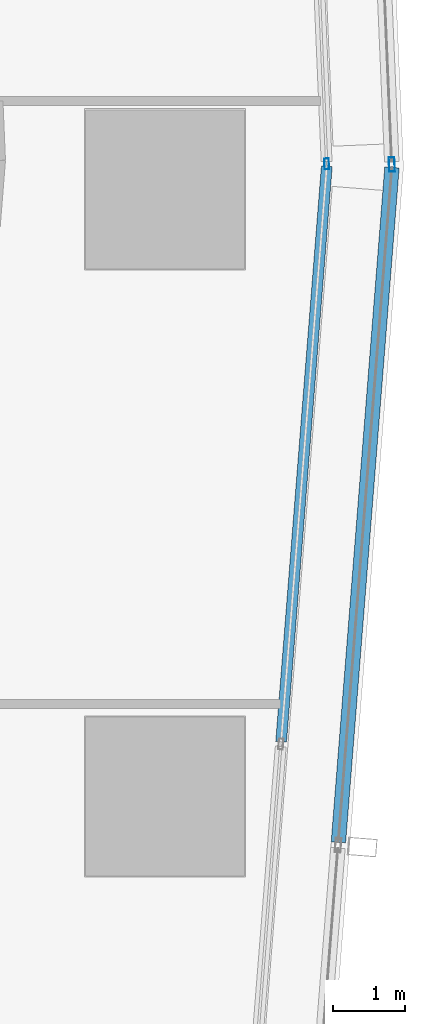
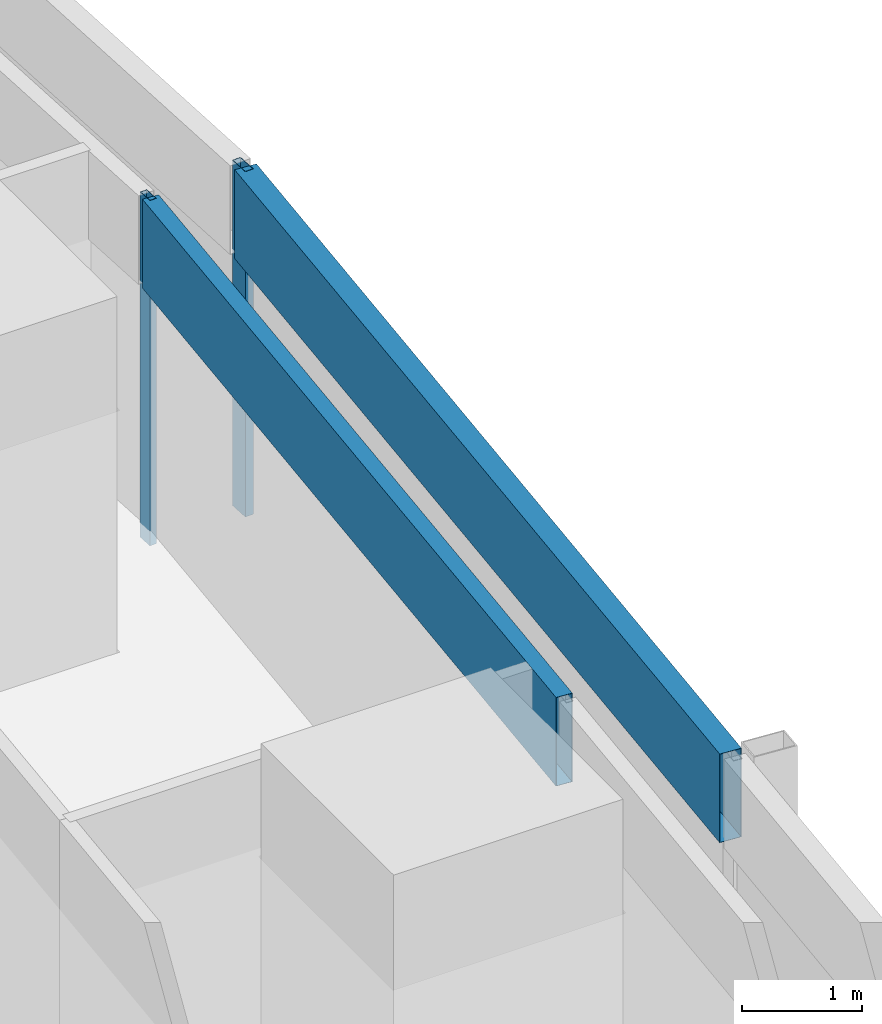
# One storey, part 26 of 45: 4 members, 4 elements without a shape of their own.
"""IFC4 building model written with IfcOpenShell, lengths in metres."""

from ifc_helpers import new_model, si_unit, direction, frame, origin, origin_2d, place, context, subcontext, project, spatial, hollow_rectangle, extrude, material, material_profile, profile_set, type_object, element, aggregate, save


model = new_model("IFC4")

# Units and contexts
model_context = context("Model", 3, precision=1e-05, world=origin(), true_north=direction((0.0, 1.0)))
body_context = subcontext(model_context, "Body", "Model", "MODEL_VIEW")
ifc_project = project(units=[si_unit("LENGTHUNIT", "METRE"), si_unit("AREAUNIT", "SQUARE_METRE"), si_unit("VOLUMEUNIT", "CUBIC_METRE"), si_unit("PLANEANGLEUNIT", "RADIAN"), si_unit("MASSUNIT", "GRAM", prefix="KILO")], contexts=[model_context])

# Site, building, storey
site_placement = place(None, origin())
site = spatial("IfcSite", under=ifc_project, at=site_placement, CompositionType="ELEMENT")
building_placement = place(site_placement, origin())
building = spatial("IfcBuilding", under=site, at=building_placement, Name="Rekha Terrace Tower", CompositionType="ELEMENT")
storey_placement = place(building_placement, frame((0.0, 0.0, 32.89990234375)))
storey = spatial("IfcBuildingStorey", under=building, at=storey_placement, Name="L07", CompositionType="ELEMENT", Elevation=32.89990234375)

# Curtain wall, member
ifc_material_1 = material(Name="Aluminium framing", Category="aluminium")
curtain_wall_type_1 = type_object("IfcCurtainWallType", Name="CW1 double skin inner glazing", PredefinedType="USERDEFINED", material=ifc_material_1)
curtain_wall_1_placement = place(storey_placement, origin())
curtain_wall_1 = element("IfcCurtainWall", 1, at=curtain_wall_1_placement, inside=storey, type_object=curtain_wall_type_1, Name="CW1 double skin inner glazing", ObjectType="DOUBLE SKIN INNER GLAZING", PredefinedType="USERDEFINED")
ifc_material_2 = material(Name="Aluminium mullion section", Category="aluminium")
ifc_material_profile_1 = material_profile(ifc_material_2, hollow_rectangle(XDim=0.06494140625, YDim=0.14990234375, WallThickness=0.00390625, at=origin_2d()), Name="AL RHS 65x150")
ifc_profile_set_1 = profile_set([ifc_material_profile_1], Name="Aluminium mullion section")
member_type_1 = type_object("IfcMemberType", Name="CW1 mullion RHS 65 x 150", PredefinedType="MULLION", material=ifc_profile_set_1)
member_1_placement = place(storey_placement, frame((69.436767578125, 25.5517578125, 0.0), z_axis=(0.0, 0.0, 1.0), x_axis=(-0.999088106904, -0.042696072921, 0.0)))
member_1 = element("IfcMember", 2, at=member_1_placement, type_object=member_type_1, Name="CW1 mullion 1", PredefinedType="MULLION", context=body_context, shape_type="SweptSolid", body=[
    extrude(hollow_rectangle(XDim=0.06494140625, YDim=0.14990234375, WallThickness=0.00390625, at=origin_2d()), origin(), (0.0, 0.0, 1.0), 3.5),
])
aggregate(curtain_wall_1, [member_1])

curtain_wall_2_placement = place(storey_placement, origin())
curtain_wall_2 = element("IfcCurtainWall", 3, at=curtain_wall_2_placement, inside=storey, type_object=curtain_wall_type_1, Name="CW1 double skin inner glazing", ObjectType="DOUBLE SKIN INNER GLAZING", PredefinedType="USERDEFINED")
ifc_material_3 = material(Name="Insulated aluminium spandrel box", Category="aluminium")
ifc_material_profile_2 = material_profile(ifc_material_3, hollow_rectangle(XDim=0.14990234375, YDim=0.89990234375, WallThickness=0.0029296875, at=origin_2d()), Name="AL SPANDREL BOX 150x900")
ifc_profile_set_2 = profile_set([ifc_material_profile_2], Name="Insulated aluminium spandrel box")
member_type_2 = type_object("IfcMemberType", Name="CW1 spandrel transom 150 x 900", PredefinedType="USERDEFINED", material=ifc_profile_set_2)
member_2_placement = place(storey_placement, frame((68.80615234375, 17.555908203125, 3.050048828125), z_axis=(0.07912449621, 0.996864742129, 0.0), x_axis=(-0.996864742129, 0.07912449621, 0.0)))
member_2 = element("IfcMember", 4, at=member_2_placement, type_object=member_type_2, Name="CW1 spandrel transom 2", ObjectType="TRANSOM", PredefinedType="USERDEFINED", context=body_context, shape_type="SweptSolid", body=[
    extrude(hollow_rectangle(XDim=0.14990234375, YDim=0.89990234375, WallThickness=0.0029296875, at=origin_2d()), origin(), (0.0, 0.0, 1.0), 7.988525390625),
])
aggregate(curtain_wall_2, [member_2])

curtain_wall_type_2 = type_object("IfcCurtainWallType", Name="CW2 double skin outer glazing", PredefinedType="USERDEFINED", material=ifc_material_1)
curtain_wall_3_placement = place(storey_placement, origin())
curtain_wall_3 = element("IfcCurtainWall", 5, at=curtain_wall_3_placement, inside=storey, type_object=curtain_wall_type_2, Name="CW2 double skin outer glazing", ObjectType="DOUBLE SKIN OUTER GLAZING", PredefinedType="USERDEFINED")
ifc_material_profile_3 = material_profile(ifc_material_2, hollow_rectangle(XDim=0.080078125, YDim=0.199951171875, WallThickness=0.00390625, at=origin_2d()), Name="AL RHS 80x200")
ifc_profile_set_3 = profile_set([ifc_material_profile_3], Name="Aluminium mullion section")
member_type_3 = type_object("IfcMemberType", Name="CW2 mullion RHS 80 x 200", PredefinedType="MULLION", material=ifc_profile_set_3)
member_3_placement = place(storey_placement, frame((70.338134765625, 25.54296875, 0.0), z_axis=(0.0, 0.0, 1.0), x_axis=(-0.999088106903, -0.042696072956, 0.0)))
member_3 = element("IfcMember", 6, at=member_3_placement, type_object=member_type_3, Name="CW2 mullion 1", PredefinedType="MULLION", context=body_context, shape_type="SweptSolid", body=[
    extrude(hollow_rectangle(XDim=0.080078125, YDim=0.199951171875, WallThickness=0.00390625, at=origin_2d()), origin(), (0.0, 0.0, 1.0), 3.5),
])
aggregate(curtain_wall_3, [member_3])

curtain_wall_4_placement = place(storey_placement, origin())
curtain_wall_4 = element("IfcCurtainWall", 7, at=curtain_wall_4_placement, inside=storey, type_object=curtain_wall_type_2, Name="CW2 double skin outer glazing", ObjectType="DOUBLE SKIN OUTER GLAZING", PredefinedType="USERDEFINED")
ifc_material_profile_4 = material_profile(ifc_material_3, hollow_rectangle(XDim=0.199951171875, YDim=0.89990234375, WallThickness=0.0029296875, at=origin_2d()), Name="AL SPANDREL BOX 200x900")
ifc_profile_set_4 = profile_set([ifc_material_profile_4], Name="Insulated aluminium spandrel box")
member_type_4 = type_object("IfcMemberType", Name="CW2 spandrel transom 200 x 900", PredefinedType="USERDEFINED", material=ifc_profile_set_4)
member_4_placement = place(storey_placement, frame((69.5986328125, 16.16552734375, 3.050048828125), z_axis=(0.079131924046, 0.996864152529, 0.0), x_axis=(-0.996864152529, 0.079131924046, 0.0)))
member_4 = element("IfcMember", 8, at=member_4_placement, type_object=member_type_4, Name="CW2 spandrel transom 2", ObjectType="TRANSOM", PredefinedType="USERDEFINED", context=body_context, shape_type="SweptSolid", body=[
    extrude(hollow_rectangle(XDim=0.199951171875, YDim=0.89990234375, WallThickness=0.0029296875, at=origin_2d()), origin(), (0.0, 0.0, 1.0), 9.36669921875),
])
aggregate(curtain_wall_4, [member_4])

save(model, "model.ifc")
